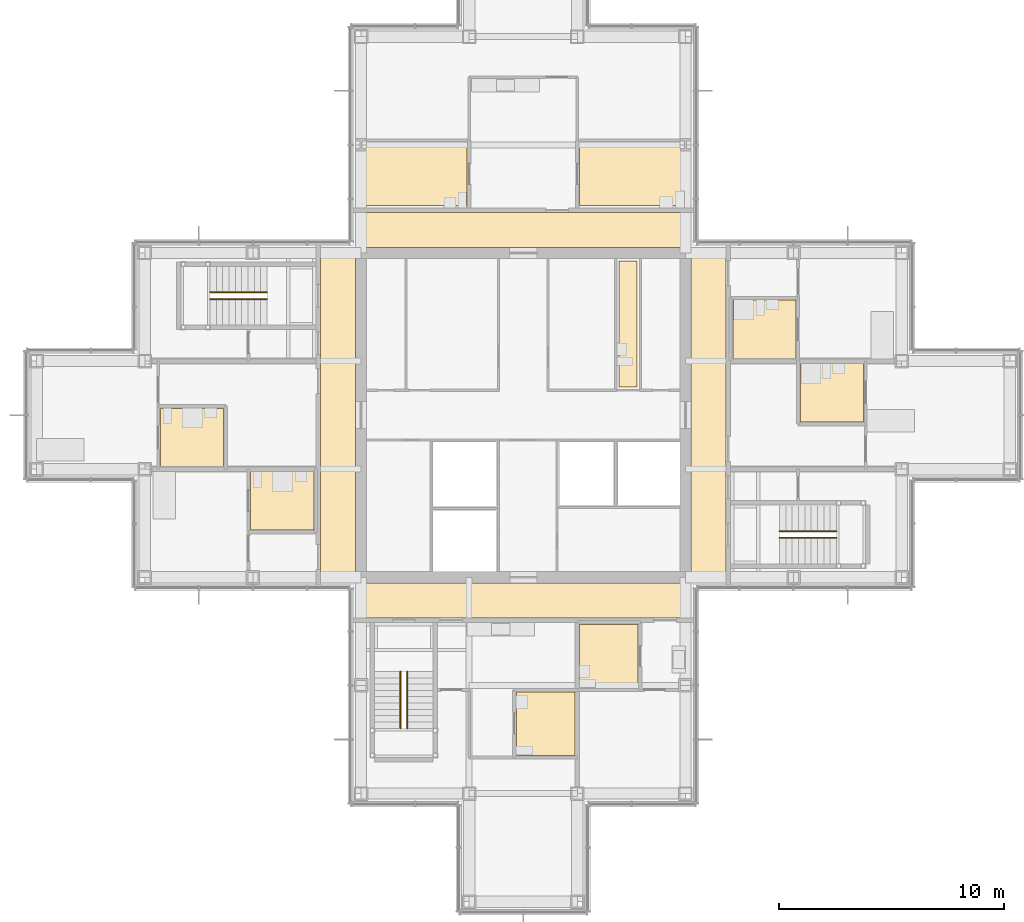
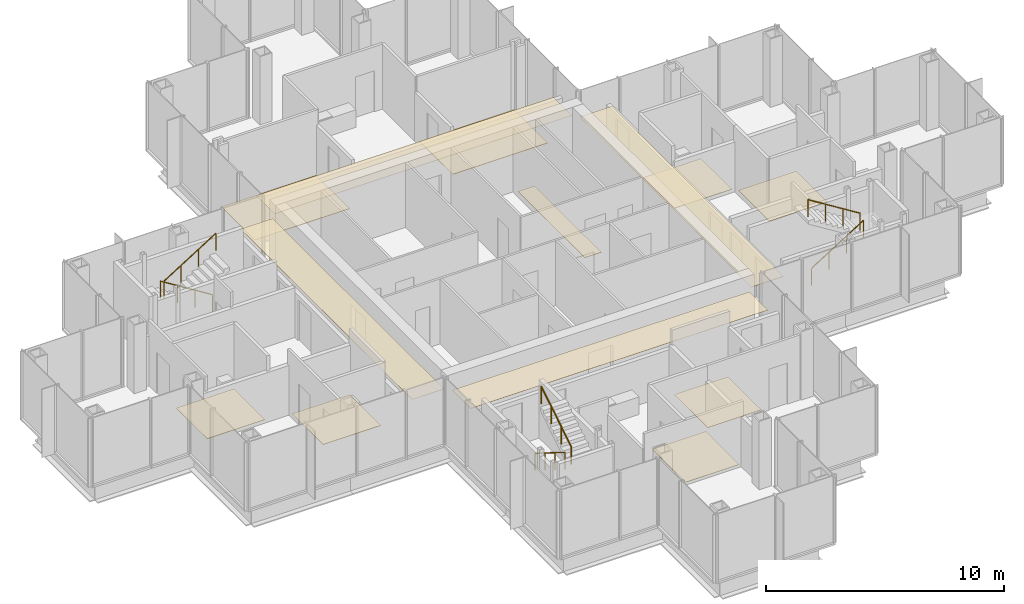
# One storey, part 15 of 17: 13 coverings, 6 railings.
"""IFC4 building model written with IfcOpenShell, lengths in metres."""

from ifc_helpers import new_model, si_unit, direction, frame, origin, origin_2d, place, context, subcontext, project, spatial, polyline, circle, outline, extrude, material, layer, layer_set, type_object, element, save


model = new_model("IFC4")

# Units and contexts
model_context = context("Model", 3, precision=1e-05, world=origin(), true_north=direction((0.0, 1.0)))
body_context = subcontext(model_context, "Body", "Model", "MODEL_VIEW")
ifc_project = project(units=[si_unit("LENGTHUNIT", "METRE"), si_unit("AREAUNIT", "SQUARE_METRE"), si_unit("VOLUMEUNIT", "CUBIC_METRE"), si_unit("PLANEANGLEUNIT", "RADIAN"), si_unit("MASSUNIT", "GRAM", prefix="KILO")], contexts=[model_context])

# Site, building, storey
site_placement = place(None, origin())
site = spatial("IfcSite", under=ifc_project, at=site_placement, CompositionType="ELEMENT")
building_placement = place(site_placement, origin())
building = spatial("IfcBuilding", under=site, at=building_placement, Name="Kvirike Care Tower", CompositionType="ELEMENT")
storey_placement = place(building_placement, frame((0.0, 0.0, 155.0)))
storey = spatial("IfcBuildingStorey", under=building, at=storey_placement, Name="L42", CompositionType="ELEMENT", Elevation=155.0)

# Coverings
ifc_material_1 = material(Name="Perforated metal ceiling tile", Category="aluminium")
ifc_layer_1 = layer(ifc_material_1, 0.014892578125)
ifc_layer_set_1 = layer_set([ifc_layer_1], Name="CORRIDOR CEILING 15")
covering_type_1 = type_object("IfcCoveringType", Name="CORRIDOR CEILING 15", PredefinedType="CEILING", material=ifc_layer_set_1)
covering_1_placement = place(storey_placement, frame((0.0, 0.0, 2.5)))
element("IfcCovering", 1, at=covering_1_placement, inside=storey, type_object=covering_type_1, Name="Corridor ceiling L42", PredefinedType="CEILING", context=body_context, shape_type="SweptSolid", body=[
    extrude(outline(polyline([(12.60009765625, 43.199951171875), (14.14990234375, 43.199951171875), (14.14990234375, 28.800048828125), (12.60009765625, 28.800048828125), (12.60009765625, 43.199951171875)])), origin(), (0.0, 0.0, 1.0), 0.014892578125),
])
covering_2_placement = place(storey_placement, frame((0.0, 0.0, 2.5)))
element("IfcCovering", 2, at=covering_2_placement, inside=storey, type_object=covering_type_1, Name="Corridor ceiling L42", PredefinedType="CEILING", context=body_context, shape_type="SweptSolid", body=[
    extrude(outline(polyline([(14.39990234375, 27.0), (14.39990234375, 28.550048828125), (28.800048828125, 28.550048828125), (28.800048828125, 27.0), (14.39990234375, 27.0)])), origin(), (0.0, 0.0, 1.0), 0.014892578125),
])
covering_3_placement = place(storey_placement, frame((0.0, 0.0, 2.5)))
element("IfcCovering", 3, at=covering_3_placement, inside=storey, type_object=covering_type_1, Name="Corridor ceiling L42", PredefinedType="CEILING", context=body_context, shape_type="SweptSolid", body=[
    extrude(outline(polyline([(28.800048828125, 45.0), (28.800048828125, 43.449951171875), (14.39990234375, 43.449951171875), (14.39990234375, 45.0), (28.800048828125, 45.0)])), origin(), (0.0, 0.0, 1.0), 0.014892578125),
])
covering_4_placement = place(storey_placement, frame((0.0, 0.0, 2.5)))
element("IfcCovering", 4, at=covering_4_placement, inside=storey, type_object=covering_type_1, Name="Corridor ceiling L42", PredefinedType="CEILING", context=body_context, shape_type="SweptSolid", body=[
    extrude(outline(polyline([(30.60009765625, 28.800048828125), (29.050048828125, 28.800048828125), (29.050048828125, 43.199951171875), (30.60009765625, 43.199951171875), (30.60009765625, 28.800048828125)])), origin(), (0.0, 0.0, 1.0), 0.014892578125),
])

# Railings
ifc_material_2 = material(Name="Stainless steel handrail", Category="steel")
railing_type = type_object("IfcRailingType", Name="STAIR HANDRAIL 900", PredefinedType="HANDRAIL", material=ifc_material_2)
railing_1_placement = place(storey_placement, frame((10.219970703125, 41.449951171875, 0.175048828125)))
element("IfcRailing", 5, at=railing_1_placement, inside=storey, type_object=railing_type, Name="Stair 1 handrail L42 flight 1", PredefinedType="HANDRAIL", context=body_context, shape_type="SweptSolid", body=[
    extrude(circle(Radius=0.02490234375, at=origin_2d()), frame((0.0, 0.0, 0.875), z_axis=(-0.848007534815, 0.0, 0.529984170421), x_axis=(0.0, -1.0, 0.0)), (0.0, 0.0, 1.0), 2.9716796875),
    extrude(circle(Radius=0.02001953125, at=origin_2d()), origin(), (0.0, 0.0, 1.0), 0.849853515625),
    extrude(circle(Radius=0.02001953125, at=origin_2d()), frame((-0.840087890625, 0.0, 0.52490234375)), (0.0, 0.0, 1.0), 0.849853515625),
    extrude(circle(Radius=0.02001953125, at=origin_2d()), frame((-1.679931640625, 0.0, 1.050048828125)), (0.0, 0.0, 1.0), 0.849853515625),
    extrude(circle(Radius=0.02001953125, at=origin_2d()), frame((-2.52001953125, 0.0, 1.574951171875)), (0.0, 0.0, 1.0), 0.849853515625),
])
for number, where, name in (
    (6, (7.699951171875, 41.14990234375, 1.925048828125), "Stair 1 handrail L42 flight 2"),
    (7, (32.97998046875, 30.550048828125, 0.175048828125), "Stair 2 handrail L42 flight 1"),
):
    element("IfcRailing", number, at=place(storey_placement, frame(where)), inside=storey, type_object=railing_type, Name=name, PredefinedType="HANDRAIL", context=body_context, shape_type="SweptSolid", body=[
        extrude(circle(Radius=0.02490234375, at=origin_2d()), frame((0.0, 0.0, 0.875), z_axis=(0.848007534815, 0.0, 0.529984170421), x_axis=(0.0, 1.0, 0.0)), (0.0, 0.0, 1.0), 2.9716796875),
        extrude(circle(Radius=0.02001953125, at=origin_2d()), origin(), (0.0, 0.0, 1.0), 0.849853515625),
        extrude(circle(Radius=0.02001953125, at=origin_2d()), frame((0.840087890625, 0.0, 0.52490234375)), (0.0, 0.0, 1.0), 0.849853515625),
        extrude(circle(Radius=0.02001953125, at=origin_2d()), frame((1.679931640625, 0.0, 1.050048828125)), (0.0, 0.0, 1.0), 0.849853515625),
        extrude(circle(Radius=0.02001953125, at=origin_2d()), frame((2.52001953125, 0.0, 1.574951171875)), (0.0, 0.0, 1.0), 0.849853515625),
    ])
railing_2_placement = place(storey_placement, frame((35.5, 30.85009765625, 1.925048828125)))
element("IfcRailing", 8, at=railing_2_placement, inside=storey, type_object=railing_type, Name="Stair 2 handrail L42 flight 2", PredefinedType="HANDRAIL", context=body_context, shape_type="SweptSolid", body=[
    extrude(circle(Radius=0.02490234375, at=origin_2d()), frame((0.0, 0.0, 0.875), z_axis=(-0.848007534815, 0.0, 0.529984170421), x_axis=(0.0, -1.0, 0.0)), (0.0, 0.0, 1.0), 2.9716796875),
    extrude(circle(Radius=0.02001953125, at=origin_2d()), origin(), (0.0, 0.0, 1.0), 0.849853515625),
    extrude(circle(Radius=0.02001953125, at=origin_2d()), frame((-0.840087890625, 0.0, 0.52490234375)), (0.0, 0.0, 1.0), 0.849853515625),
    extrude(circle(Radius=0.02001953125, at=origin_2d()), frame((-1.679931640625, 0.0, 1.050048828125)), (0.0, 0.0, 1.0), 0.849853515625),
    extrude(circle(Radius=0.02001953125, at=origin_2d()), frame((-2.52001953125, 0.0, 1.574951171875)), (0.0, 0.0, 1.0), 0.849853515625),
])
railing_3_placement = place(storey_placement, frame((16.14990234375, 24.6201171875, 0.175048828125)))
element("IfcRailing", 9, at=railing_3_placement, inside=storey, type_object=railing_type, Name="Stair 5 handrail L42 flight 1", PredefinedType="HANDRAIL", context=body_context, shape_type="SweptSolid", body=[
    extrude(circle(Radius=0.02490234375, at=origin_2d()), frame((0.0, 0.0, 0.875), z_axis=(0.0, -0.848007534815, 0.529984170421), x_axis=(1.0, 0.0, 0.0)), (0.0, 0.0, 1.0), 2.9716796875),
    extrude(circle(Radius=0.02001953125, at=origin_2d()), origin(), (0.0, 0.0, 1.0), 0.849853515625),
    extrude(circle(Radius=0.02001953125, at=origin_2d()), frame((0.0, -0.840087890625, 0.52490234375)), (0.0, 0.0, 1.0), 0.849853515625),
    extrude(circle(Radius=0.02001953125, at=origin_2d()), frame((0.0, -1.679931640625, 1.050048828125)), (0.0, 0.0, 1.0), 0.849853515625),
    extrude(circle(Radius=0.02001953125, at=origin_2d()), frame((0.0, -2.52001953125, 1.574951171875)), (0.0, 0.0, 1.0), 0.849853515625),
])
railing_4_placement = place(storey_placement, frame((16.449951171875, 22.10009765625, 1.925048828125)))
element("IfcRailing", 10, at=railing_4_placement, inside=storey, type_object=railing_type, Name="Stair 5 handrail L42 flight 2", PredefinedType="HANDRAIL", context=body_context, shape_type="SweptSolid", body=[
    extrude(circle(Radius=0.02490234375, at=origin_2d()), frame((0.0, 0.0, 0.875), z_axis=(0.0, 0.848007534815, 0.529984170421), x_axis=(-1.0, 0.0, 0.0)), (0.0, 0.0, 1.0), 2.9716796875),
    extrude(circle(Radius=0.02001953125, at=origin_2d()), origin(), (0.0, 0.0, 1.0), 0.849853515625),
    extrude(circle(Radius=0.02001953125, at=origin_2d()), frame((0.0, 0.840087890625, 0.52490234375)), (0.0, 0.0, 1.0), 0.849853515625),
    extrude(circle(Radius=0.02001953125, at=origin_2d()), frame((0.0, 1.679931640625, 1.050048828125)), (0.0, 0.0, 1.0), 0.849853515625),
    extrude(circle(Radius=0.02001953125, at=origin_2d()), frame((0.0, 2.52001953125, 1.574951171875)), (0.0, 0.0, 1.0), 0.849853515625),
])

# Coverings
ifc_material_3 = material(Name="Slip-resistant vinyl safety flooring on screed")
ifc_layer_2 = layer(ifc_material_3, 0.02001953125)
ifc_layer_set_2 = layer_set([ifc_layer_2], Name="WET ROOM FLOOR 20")
covering_type_2 = type_object("IfcCoveringType", Name="WET ROOM FLOOR 20", PredefinedType="FLOORING", material=ifc_layer_set_2)
covering_5_placement = place(storey_placement, origin())
element("IfcCovering", 11, at=covering_5_placement, inside=storey, type_object=covering_type_2, Name="En-suite floor L42-006", PredefinedType="FLOORING", context=body_context, shape_type="SweptSolid", body=[
    extrude(outline(polyline([(5.5, 36.300048828125), (8.300048828125, 36.300048828125), (8.300048828125, 33.699951171875), (5.5, 33.699951171875), (5.5, 36.300048828125)])), origin(), (0.0, 0.0, 1.0), 0.02001953125),
])
covering_6_placement = place(storey_placement, origin())
element("IfcCovering", 12, at=covering_6_placement, inside=storey, type_object=covering_type_2, Name="En-suite floor L42-009", PredefinedType="FLOORING", context=body_context, shape_type="SweptSolid", body=[
    extrude(outline(polyline([(9.5, 33.5), (12.300048828125, 33.5), (12.300048828125, 30.89990234375), (9.5, 30.89990234375), (9.5, 33.5)])), origin(), (0.0, 0.0, 1.0), 0.02001953125),
])
covering_7_placement = place(storey_placement, origin())
element("IfcCovering", 13, at=covering_7_placement, inside=storey, type_object=covering_type_2, Name="Accessible WC floor L42-014", PredefinedType="FLOORING", context=body_context, shape_type="SweptSolid", body=[
    extrude(outline(polyline([(21.300048828125, 20.89990234375), (21.300048828125, 23.699951171875), (23.89990234375, 23.699951171875), (23.89990234375, 20.89990234375), (21.300048828125, 20.89990234375)])), origin(), (0.0, 0.0, 1.0), 0.02001953125),
])
covering_8_placement = place(storey_placement, origin())
element("IfcCovering", 14, at=covering_8_placement, inside=storey, type_object=covering_type_2, Name="Staff WC floor L42-017", PredefinedType="FLOORING", context=body_context, shape_type="SweptSolid", body=[
    extrude(outline(polyline([(24.10009765625, 23.89990234375), (24.10009765625, 26.699951171875), (26.699951171875, 26.699951171875), (26.699951171875, 23.89990234375), (24.10009765625, 23.89990234375)])), origin(), (0.0, 0.0, 1.0), 0.02001953125),
])
covering_9_placement = place(storey_placement, origin())
element("IfcCovering", 15, at=covering_9_placement, inside=storey, type_object=covering_type_2, Name="Accessible WC floor L42-021", PredefinedType="FLOORING", context=body_context, shape_type="SweptSolid", body=[
    extrude(outline(polyline([(28.699951171875, 48.10009765625), (28.699951171875, 45.300048828125), (24.10009765625, 45.300048828125), (24.10009765625, 48.10009765625), (28.699951171875, 48.10009765625)])), origin(), (0.0, 0.0, 1.0), 0.02001953125),
])
covering_10_placement = place(storey_placement, origin())
element("IfcCovering", 16, at=covering_10_placement, inside=storey, type_object=covering_type_2, Name="Staff WC floor L42-022", PredefinedType="FLOORING", context=body_context, shape_type="SweptSolid", body=[
    extrude(outline(polyline([(19.10009765625, 48.10009765625), (19.10009765625, 45.300048828125), (14.5, 45.300048828125), (14.5, 48.10009765625), (19.10009765625, 48.10009765625)])), origin(), (0.0, 0.0, 1.0), 0.02001953125),
])
covering_11_placement = place(storey_placement, origin())
element("IfcCovering", 17, at=covering_11_placement, inside=storey, type_object=covering_type_2, Name="En-suite floor L42-029", PredefinedType="FLOORING", context=body_context, shape_type="SweptSolid", body=[
    extrude(outline(polyline([(36.699951171875, 35.699951171875), (33.89990234375, 35.699951171875), (33.89990234375, 38.300048828125), (36.699951171875, 38.300048828125), (36.699951171875, 35.699951171875)])), origin(), (0.0, 0.0, 1.0), 0.02001953125),
])
covering_12_placement = place(storey_placement, origin())
element("IfcCovering", 18, at=covering_12_placement, inside=storey, type_object=covering_type_2, Name="En-suite floor L42-032", PredefinedType="FLOORING", context=body_context, shape_type="SweptSolid", body=[
    extrude(outline(polyline([(33.699951171875, 38.5), (30.89990234375, 38.5), (30.89990234375, 41.10009765625), (33.699951171875, 41.10009765625), (33.699951171875, 38.5)])), origin(), (0.0, 0.0, 1.0), 0.02001953125),
])
covering_13_placement = place(storey_placement, origin())
element("IfcCovering", 19, at=covering_13_placement, inside=storey, type_object=covering_type_2, Name="Staff WC floor L42-040", PredefinedType="FLOORING", context=body_context, shape_type="SweptSolid", body=[
    extrude(outline(polyline([(26.64990234375, 37.25), (25.85009765625, 37.25), (25.85009765625, 42.85009765625), (26.64990234375, 42.85009765625), (26.64990234375, 37.25)])), origin(), (0.0, 0.0, 1.0), 0.02001953125),
])

save(model, "model.ifc")
